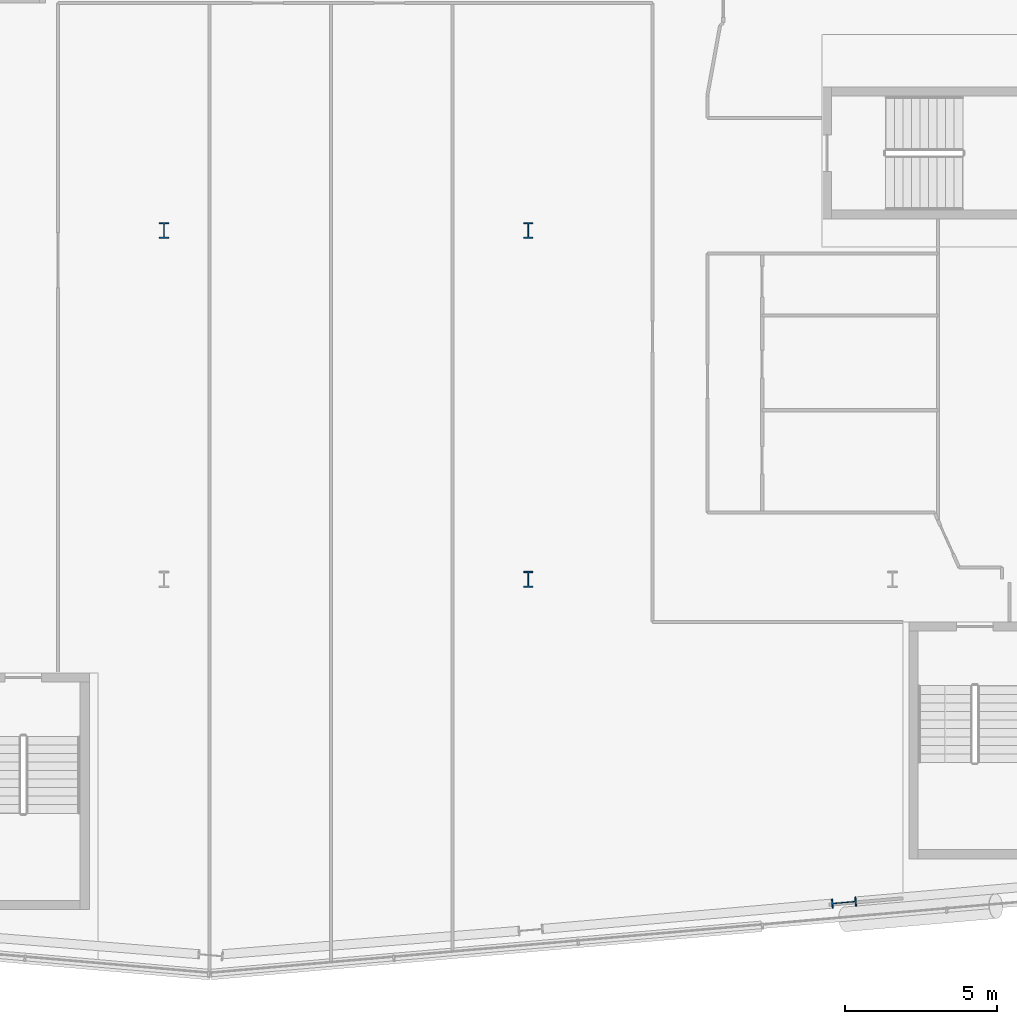
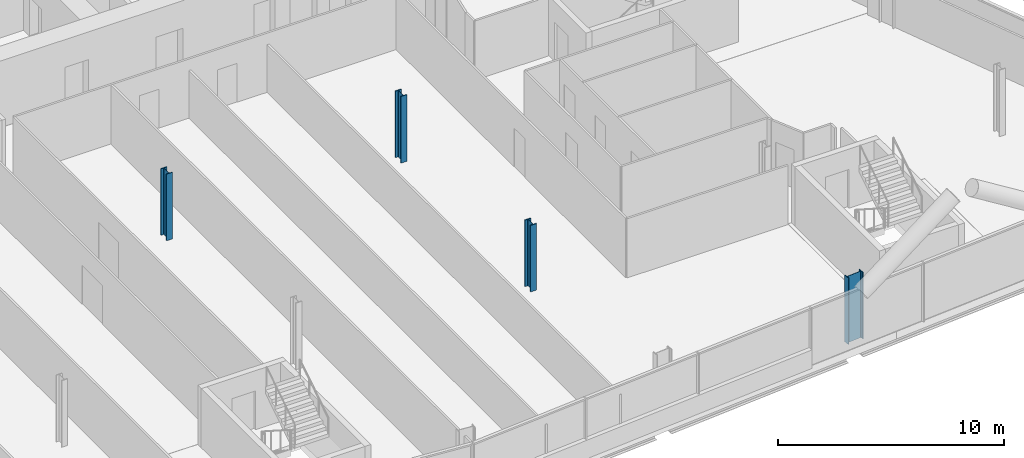
# One storey, part 2 of 25: 4 columns.
"""IFC4 building model written with IfcOpenShell, lengths in metres."""

from ifc_helpers import new_model, si_unit, direction, frame, origin, origin_2d, place, context, subcontext, project, spatial, i_section, extrude, material, material_profile, profile_set, type_object, element, save


model = new_model("IFC4")

# Units and contexts
model_context = context("Model", 3, precision=1e-05, world=origin(), true_north=direction((0.0, 1.0)))
body_context = subcontext(model_context, "Body", "Model", "MODEL_VIEW")
ifc_project = project(units=[si_unit("LENGTHUNIT", "METRE"), si_unit("AREAUNIT", "SQUARE_METRE"), si_unit("VOLUMEUNIT", "CUBIC_METRE"), si_unit("PLANEANGLEUNIT", "RADIAN"), si_unit("MASSUNIT", "GRAM", prefix="KILO")], contexts=[model_context])

# Site, building, storey
site_placement = place(None, origin())
site = spatial("IfcSite", under=ifc_project, at=site_placement, CompositionType="ELEMENT")
building_placement = place(site_placement, origin())
building = spatial("IfcBuilding", under=site, at=building_placement, Name="Wharfspan Tower", CompositionType="ELEMENT")
storey_placement = place(building_placement, frame((0.0, 0.0, 121.899902)))
storey = spatial("IfcBuildingStorey", under=building, at=storey_placement, Name="L28", CompositionType="ELEMENT", Elevation=121.899902)

# Columns
ifc_material = material(Name="Steel S355J2", Category="steel")
ifc_material_profile_1 = material_profile(ifc_material, i_section(OverallWidth=0.305908, OverallDepth=0.523926, WebThickness=0.020996, FlangeThickness=0.040039, FilletRadius=0.0271, at=origin_2d()))
ifc_profile_set_1 = profile_set([ifc_material_profile_1], Name="Steel S355J2")
column_type_1 = type_object("IfcColumnType", Name="Column HEM 500", PredefinedType="COLUMN", material=ifc_profile_set_1)
for number, where, z_axis, x_axis, name in (
    (1, (60.0, 11.5, 0.0), (0.0, 0.0, 1.0), (1.0, 0.0, 0.0), "Interior column I.1.5 L28"),
    (2, (48.0, 23.0, 0.0), (0.0, 0.0, 1.0), (1.0, 0.0, 0.0), "Interior column I.2.3 L28"),
    (3, (60.0, 23.0, 0.0), (0.0, 0.0, 1.0), (1.0, 0.0, 0.0), "Interior column I.2.4 L28"),
):
    element("IfcColumn", number, at=place(storey_placement, frame(where, z_axis=z_axis, x_axis=x_axis)), inside=storey, type_object=column_type_1, Name=name, PredefinedType="COLUMN", context=body_context, shape_type="SweptSolid", body=[
        extrude(i_section(OverallWidth=0.305908, OverallDepth=0.523926, WebThickness=0.020996, FlangeThickness=0.040039, FilletRadius=0.0271, at=origin_2d()), origin(), (0.0, 0.0, 1.0), 3.600098),
    ])
ifc_material_profile_2 = material_profile(ifc_material, i_section(OverallWidth=0.302979, OverallDepth=0.813965, WebThickness=0.020996, FlangeThickness=0.040039, FilletRadius=0.030029, at=origin_2d()))
ifc_profile_set_2 = profile_set([ifc_material_profile_2], Name="Steel S355J2")
column_type_2 = type_object("IfcColumnType", Name="Column HEM 800", PredefinedType="COLUMN", material=ifc_profile_set_2)
column_placement = place(storey_placement, frame((70.404053, 0.852783, 0.0), z_axis=(0.0, 0.0, 1.0), x_axis=(0.087156, -0.996198, 0.0)))
element("IfcColumn", 4, at=column_placement, inside=storey, type_object=column_type_2, Name="Perimeter column PS2.2 L28", PredefinedType="COLUMN", context=body_context, shape_type="SweptSolid", body=[
    extrude(i_section(OverallWidth=0.302979, OverallDepth=0.813965, WebThickness=0.020996, FlangeThickness=0.040039, FilletRadius=0.030029, at=origin_2d()), origin(), (0.0, 0.0, 1.0), 3.600098),
])

save(model, "model.ifc")
